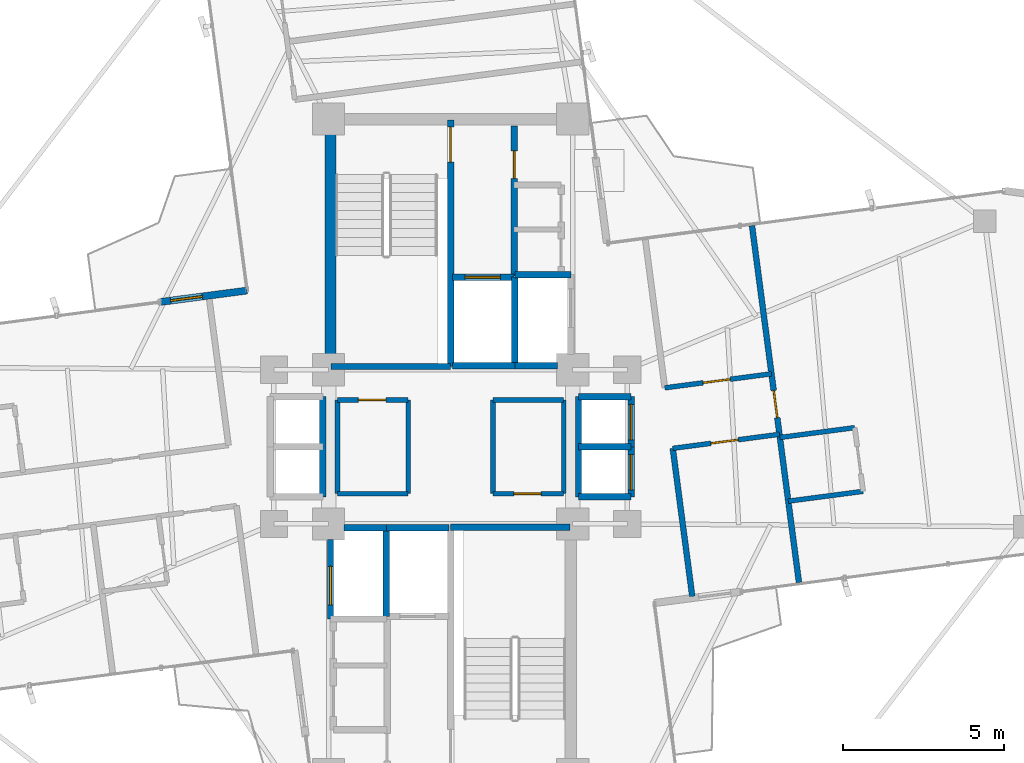
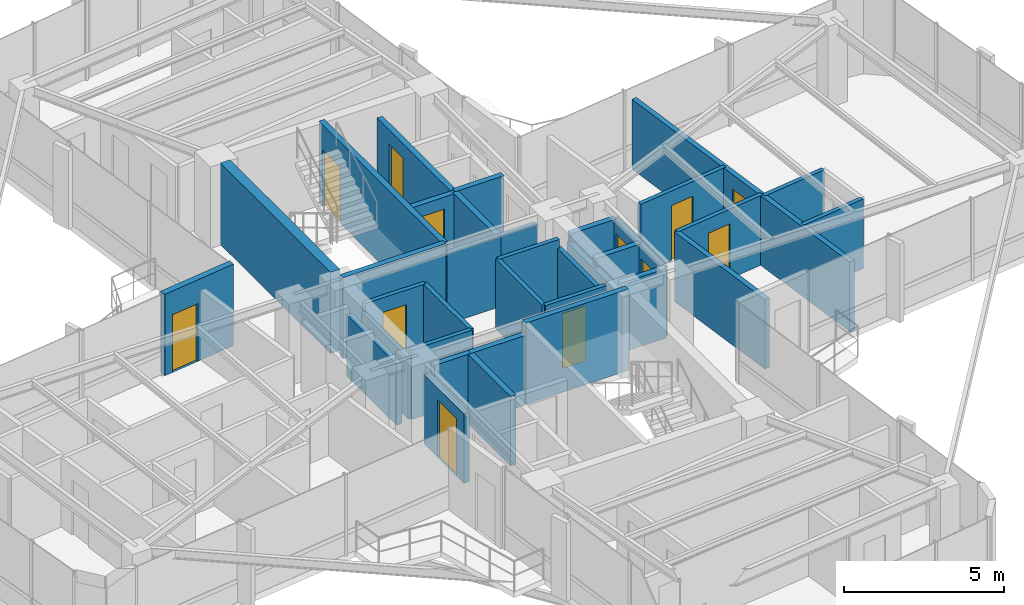
# One storey, part 19 of 21: 36 walls, 12 doors, 12 openings.
"""IFC4 building model written with IfcOpenShell, lengths in metres."""

import ifcopenshell
import ifcopenshell.guid

model = None  # the IFC model being written
_history = None  # IfcOwnerHistory: only IFC2X3 demands one
_inside = {}  # id of a spatial element -> (the spatial element, [elements in it])
_under = {}  # id of a project, library or spatial element -> (it, [spatial elements below it])
_declared = {}  # id of a project -> (the project, [libraries it declares])
_typed = {}  # id of a type object -> (the type object, [elements of that type])
_made_of = {}  # id of a material, layer set ... -> (it, [elements and type objects made of it])


def new_model(schema):
    """Start an empty IFC model of exactly this schema.

    Asked for "IFC4X3", IfcOpenShell would pick the latest addendum, in which some entities
    have other attributes; the version numbers below select the first issue.
    IFC2X3 requires an IfcOwnerHistory on every rooted entity: one is made here for all.
    """
    global model, _history
    if schema == "IFC4X3":
        model = ifcopenshell.file(schema_version=(4, 3, 0, 0))
    else:
        model = ifcopenshell.file(schema=schema)
    _inside.clear()
    _under.clear()
    _declared.clear()
    _typed.clear()
    _made_of.clear()
    _history = None
    if model.schema == "IFC2X3":
        org = make("IfcOrganization", Name="unknown")
        user = make(
            "IfcPersonAndOrganization",
            ThePerson=make("IfcPerson", FamilyName="unknown"),
            TheOrganization=org,
        )
        app = make(
            "IfcApplication",
            ApplicationDeveloper=org,
            Version="unknown",
            ApplicationFullName="unknown",
            ApplicationIdentifier="unknown",
        )
        _history = make(
            "IfcOwnerHistory",
            OwningUser=user,
            OwningApplication=app,
            ChangeAction="ADDED",
            CreationDate=0,
        )
    return model


def make(cls, **values):
    """One entity of the class cls with the attributes given. An attribute that is None is left unset."""
    return model.create_entity(
        cls, **{name: value for name, value in values.items() if value is not None}
    )


def rooted(cls, **values):
    """An entity with a GlobalId (a new one), such as an element, a storey or a relation."""
    return make(cls, GlobalId=ifcopenshell.guid.new(), OwnerHistory=_history, **values)


def si_unit(unit_type, name, prefix=None):
    """IfcSIUnit, for example si_unit("LENGTHUNIT", "METRE", prefix="MILLI")."""
    return make("IfcSIUnit", UnitType=unit_type, Prefix=prefix, Name=name)


def assignment(units):
    """IfcUnitAssignment: the units of a project."""
    return None if units is None else make("IfcUnitAssignment", Units=units)


def point(xyz):
    """IfcCartesianPoint."""
    return None if xyz is None else make("IfcCartesianPoint", Coordinates=xyz)


def direction(xyz):
    """IfcDirection."""
    return None if xyz is None else make("IfcDirection", DirectionRatios=xyz)


def frame(location, z_axis=None, x_axis=None):
    """IfcAxis2Placement3D, a coordinate frame: its origin and axes. An axis left out is left unset."""
    return make(
        "IfcAxis2Placement3D",
        Location=point(location),
        Axis=direction(z_axis),
        RefDirection=direction(x_axis),
    )


def frame_2d(location, x_axis=None):
    """IfcAxis2Placement2D, a coordinate frame in the plane: its origin and x axis."""
    return make(
        "IfcAxis2Placement2D", Location=point(location), RefDirection=direction(x_axis)
    )


def origin():
    """The frame at (0, 0, 0) with its axes left unset."""
    return frame((0.0, 0.0, 0.0))


def origin_2d():
    """The frame at (0, 0) in the plane with its x axis left unset."""
    return frame_2d((0.0, 0.0))


def place(relative_to, where):
    """IfcLocalPlacement: puts the frame where relative to a parent placement (None: the world)."""
    return make(
        "IfcLocalPlacement", PlacementRelTo=relative_to, RelativePlacement=where
    )


def context(
    kind, dimensions, precision=None, world=None, true_north=None, identifier=None
):
    """IfcGeometricRepresentationContext, for example the 3D "Model" context."""
    return make(
        "IfcGeometricRepresentationContext",
        ContextIdentifier=identifier,
        ContextType=kind,
        CoordinateSpaceDimension=dimensions,
        Precision=precision,
        WorldCoordinateSystem=world,
        TrueNorth=true_north,
    )


def subcontext(parent, identifier, kind, view, scale=None):
    """IfcGeometricRepresentationSubContext, for example "Body" below "Model"."""
    return make(
        "IfcGeometricRepresentationSubContext",
        ContextIdentifier=identifier,
        ContextType=kind,
        ParentContext=parent,
        TargetScale=scale,
        TargetView=view,
    )


def project(units=None, contexts=None):
    """IfcProject with its units and contexts."""
    return rooted(
        "IfcProject",
        Name="project",
        RepresentationContexts=contexts,
        UnitsInContext=assignment(units),
    )


def spatial(cls, under=None, at=None, **own):
    """A site, building, storey or space (cls), placed at a placement, below another one or the project."""
    s = rooted(cls, ObjectPlacement=at, **own)
    if under is not None:
        _under.setdefault(under.id(), (under, []))[1].append(s)
    return s


def profile(cls, at=None, kind="AREA", **sizes):
    """A parametric profile (cls). Its sizes go by their IFC names, for example OverallWidth=200.0."""
    return make(cls, ProfileType=kind, Position=at, **sizes)


def rectangle(**sizes):
    """IfcRectangleProfileDef."""
    return profile("IfcRectangleProfileDef", **sizes)


def extrude(swept, where, along, depth):
    """IfcExtrudedAreaSolid: the profile swept, set in the frame where, extruded along a direction by depth."""
    return make(
        "IfcExtrudedAreaSolid",
        SweptArea=swept,
        Position=where,
        ExtrudedDirection=direction(along),
        Depth=depth,
    )


def shape(context_of_items, identifier, shape_type, items):
    """IfcShapeRepresentation: the items that make up one representation, for example the "Body"."""
    return make(
        "IfcShapeRepresentation",
        ContextOfItems=context_of_items,
        RepresentationIdentifier=identifier,
        RepresentationType=shape_type,
        Items=items,
    )


def source(mapping_origin, context_of_items, identifier, shape_type, items):
    """IfcRepresentationMap: a shape defined once, which mapped items show again and again."""
    return make(
        "IfcRepresentationMap",
        MappingOrigin=mapping_origin,
        MappedRepresentation=shape(context_of_items, identifier, shape_type, items),
    )


def transform(
    local_origin,
    x_axis=None,
    y_axis=None,
    z_axis=None,
    scale=None,
    scale2=None,
    scale3=None,
    uniform=True,
):
    """IfcCartesianTransformationOperator3D, or its non-uniform kind. x_axis, y_axis, z_axis: its Axis1, 2, 3."""
    if uniform:
        return make(
            "IfcCartesianTransformationOperator3D",
            Axis1=direction(x_axis),
            Axis2=direction(y_axis),
            LocalOrigin=point(local_origin),
            Scale=scale,
            Axis3=direction(z_axis),
        )
    return make(
        "IfcCartesianTransformationOperator3DnonUniform",
        Axis1=direction(x_axis),
        Axis2=direction(y_axis),
        LocalOrigin=point(local_origin),
        Scale=scale,
        Axis3=direction(z_axis),
        Scale2=scale2,
        Scale3=scale3,
    )


def mapped(mapping_source, mapping_target):
    """IfcMappedItem: shows the shape of a source again, moved by a transform."""
    return make(
        "IfcMappedItem", MappingSource=mapping_source, MappingTarget=mapping_target
    )


def material(Name=None, Category=None):
    """IfcMaterial."""
    return make("IfcMaterial", Name=Name, Category=Category)


def layer(
    of_material, thickness, ventilated=None, Name=None, Category=None, Priority=None
):
    """IfcMaterialLayer: one layer of a wall or slab, of a material (None: an air gap)."""
    return make(
        "IfcMaterialLayer",
        Material=of_material,
        LayerThickness=thickness,
        IsVentilated=ventilated,
        Name=Name,
        Category=Category,
        Priority=Priority,
    )


def layer_set(layers, Name=None):
    """IfcMaterialLayerSet."""
    return make("IfcMaterialLayerSet", MaterialLayers=layers, LayerSetName=Name)


def made_of(thing, what):
    """Note that an element or type object is made of a material, layer set ...; save() writes the relation."""
    if what is not None:
        _made_of.setdefault(what.id(), (what, []))[1].append(thing)
    return thing


def type_object(cls, material=None, **own):
    """A type object (cls), such as IfcWallType, which elements share."""
    return made_of(rooted(cls, **own), material)


def element(
    cls,
    number,
    at=None,
    inside=None,
    cuts=None,
    type_object=None,
    material=None,
    context=None,
    identifier="Body",
    shape_type=None,
    held_by="IfcProductDefinitionShape",
    body=None,
    shapes=None,
    **own,
):
    """One element of the class cls, such as IfcWall. Its Tag is "e" and its number.

    at: its placement. inside: the storey or other place that contains it. cuts: it is an
    opening in that element (IfcRelVoidsElement). A single representation is given by context,
    identifier, shape_type and body (its items); several are given by shapes. held_by: the class
    of the entity that holds the representations. save() writes the other relations.
    """
    e = rooted(cls, Tag="e%d" % number, ObjectPlacement=at, **own)
    if body is not None:
        shapes = [shape(context, identifier, shape_type, body)]
    if shapes is not None:
        e.Representation = make(held_by, Representations=shapes)
    if inside is not None:
        _inside.setdefault(inside.id(), (inside, []))[1].append(e)
    if cuts is not None:
        rooted(
            "IfcRelVoidsElement", RelatingBuildingElement=cuts, RelatedOpeningElement=e
        )
    if type_object is not None:
        _typed.setdefault(type_object.id(), (type_object, []))[1].append(e)
    return made_of(e, material)


def fill(opening, filler):
    """IfcRelFillsElement: the door or window that sits in an opening."""
    return rooted(
        "IfcRelFillsElement",
        RelatingOpeningElement=opening,
        RelatedBuildingElement=filler,
    )


def aggregate(whole, parts):
    """IfcRelAggregates: a whole, such as a stair, and the parts it consists of."""
    return rooted("IfcRelAggregates", RelatingObject=whole, RelatedObjects=parts)


def save(model, path):
    """Write the relations noted so far, then the file.

    IfcRelAggregates (storeys below a building ...), IfcRelContainedInSpatialStructure (elements
    in a storey), IfcRelDefinesByType, IfcRelAssociatesMaterial and IfcRelDeclares: one each for
    every whole, place, type object, material and project.
    """
    for whole, parts in _under.values():
        aggregate(whole, parts)
    for where, things in _inside.values():
        rooted(
            "IfcRelContainedInSpatialStructure",
            RelatedElements=things,
            RelatingStructure=where,
        )
    for kind, things in _typed.values():
        rooted("IfcRelDefinesByType", RelatedObjects=things, RelatingType=kind)
    for what, things in _made_of.values():
        rooted("IfcRelAssociatesMaterial", RelatedObjects=things, RelatingMaterial=what)
    for by, libraries in _declared.values():
        rooted("IfcRelDeclares", RelatingContext=by, RelatedDefinitions=libraries)
    model.write(path)


model = new_model("IFC4")

# Units and contexts
model_context = context("Model", 3, precision=1e-05, world=origin(), true_north=direction((0.0, 1.0)))
body_context = subcontext(model_context, "Body", "Model", "MODEL_VIEW")
ifc_project = project(units=[si_unit("LENGTHUNIT", "METRE"), si_unit("AREAUNIT", "SQUARE_METRE"), si_unit("VOLUMEUNIT", "CUBIC_METRE"), si_unit("PLANEANGLEUNIT", "RADIAN"), si_unit("MASSUNIT", "GRAM", prefix="KILO")], contexts=[model_context])

# Site, building, storey
site_placement = place(None, origin())
site = spatial("IfcSite", under=ifc_project, at=site_placement, CompositionType="ELEMENT")
building_placement = place(site_placement, origin())
building = spatial("IfcBuilding", under=site, at=building_placement, Name="Sahyath Konkavel Grand Hotel", CompositionType="ELEMENT")
storey_placement = place(building_placement, frame((0.0, 0.0, 209.85009765625)))
storey = spatial("IfcBuildingStorey", under=building, at=storey_placement, Name="L58", CompositionType="ELEMENT", Elevation=209.85009765625)

# Wall
ifc_material_1 = material(Name="Concrete C40/50", Category="concrete")
ifc_layer_1 = layer(ifc_material_1, 0.35009765625)
ifc_layer_set_1 = layer_set([ifc_layer_1], Name="Concrete C40/50")
wall_type_1 = type_object("IfcWallType", Name="CWALL-350", PredefinedType="SHEAR", material=ifc_layer_set_1)
wall_1_placement = place(storey_placement, frame((-3.739990234375, 2.85009765625, 0.0), z_axis=(0.0, 0.0, 1.0), x_axis=(0.0, 1.0, 0.0)))
element("IfcWall", 1, at=wall_1_placement, inside=storey, type_object=wall_type_1, Name="L58 North Core Shear Wall W", PredefinedType="SHEAR", context=body_context, shape_type="SweptSolid", body=[
    extrude(rectangle(XDim=6.89990234375, YDim=0.35009765625, at=frame_2d((3.449951171875, 0.0))), origin(), (0.0, 0.0, 1.0), 3.10986328125),
])

# Wall, opening, door
ifc_material_2 = material(Name="Warm Buff Sandstone Insulated Concrete C40/50", Category="masonry")
ifc_layer_2 = layer(ifc_material_2, 0.219970703125)
ifc_layer_set_2 = layer_set([ifc_layer_2], Name="Warm Buff Sandstone Insulated Concrete C40/50")
wall_type_2 = type_object("IfcWallType", Name="WLL-BALC-THRESH", PredefinedType="STANDARD", material=ifc_layer_set_2)
wall_2_placement = place(storey_placement, frame((-6.339111328125, 4.8642578125, 0.0), z_axis=(0.0, 0.0, 1.0), x_axis=(-0.991439824936, -0.130564442062, 0.0)))
wall_2 = element("IfcWall", 2, at=wall_2_placement, inside=storey, type_object=wall_type_2, Name="L58 Winter-Garden Threshold Wall 16", PredefinedType="STANDARD", context=body_context, shape_type="SweptSolid", body=[
    extrude(rectangle(XDim=2.7001953125, YDim=0.219970703125, at=frame_2d((1.35009765625, 0.0))), origin(), (0.0, 0.0, 1.0), 3.10986328125),
])
opening_1_placement = place(wall_2_placement, frame((1.39990234375, 0.0, 0.0)))
opening_1 = element("IfcOpeningElement", 3, at=opening_1_placement, cuts=wall_2, Name="Opening D-TR1", PredefinedType="OPENING", context=body_context, shape_type="SweptSolid", body=[
    extrude(rectangle(XDim=1.0, YDim=2.199951171875, at=frame_2d((0.5, 1.10009765625))), frame((0.0, 0.1201171875, 0.0), z_axis=(0.0, -1.0, 0.0), x_axis=(1.0, 0.0, 0.0)), (0.0, 0.0, 1.0), 0.239990234375),
])
ifc_material_3 = material(Name="Anodised Bronze Aluminium & Low-E Glazing", Category="aluminium")
door_type_1 = type_object("IfcDoorType", Name="DR-TERRACE-1000", OperationType="NOTDEFINED", PredefinedType="DOOR", material=ifc_material_3)
shared_shape_1 = source(origin(), body_context, "Body", "SweptSolid", [
    extrude(rectangle(XDim=1.0, YDim=0.050048828125, at=origin_2d()), origin(), (0.0, 0.0, 1.0), 2.199951171875),
])
door_1_placement = place(opening_1_placement, frame((0.5, 0.0, 0.0)))
door_1 = element("IfcDoor", 4, at=door_1_placement, inside=storey, type_object=door_type_1, Name="L58 Winter-Garden Terrace Door 16", OperationType="SINGLE_SWING_LEFT", OverallHeight=2.199951171875, OverallWidth=1.0, PredefinedType="DOOR", context=body_context, shape_type="MappedRepresentation", body=[
    mapped(shared_shape_1, transform((0.0, 0.0, 0.0), scale=1.0)),
])
fill(opening_1, door_1)

ifc_layer_3 = layer(ifc_material_1, 0.199951171875)
ifc_layer_set_3 = layer_set([ifc_layer_3], Name="Concrete C40/50")
wall_type_3 = type_object("IfcWallType", Name="WLL-CORE-200", PredefinedType="SOLIDWALL", material=ifc_layer_set_3)
wall_3_placement = place(storey_placement, frame((0.0, 2.5, 0.0), z_axis=(0.0, 0.0, 1.0), x_axis=(0.0, 1.0, 0.0)))
wall_3 = element("IfcWall", 5, at=wall_3_placement, inside=storey, type_object=wall_type_3, Name="L58 Stair ST-1 Shaft Wall E", PredefinedType="SOLIDWALL", context=body_context, shape_type="SweptSolid", body=[
    extrude(rectangle(XDim=7.679931640625, YDim=0.199951171875, at=frame_2d((3.83984375, 0.0))), origin(), (0.0, 0.0, 1.0), 3.10986328125),
])
opening_2_placement = place(wall_3_placement, frame((6.360107421875, 0.0, 0.0)))
opening_2 = element("IfcOpeningElement", 6, at=opening_2_placement, cuts=wall_3, Name="Opening D-F12B", PredefinedType="OPENING", context=body_context, shape_type="SweptSolid", body=[
    extrude(rectangle(XDim=1.10009765625, YDim=2.14990234375, at=frame_2d((0.550048828125, 1.074951171875))), frame((0.0, 0.10986328125, 0.0), z_axis=(0.0, -1.0, 0.0), x_axis=(1.0, 0.0, 0.0)), (0.0, 0.0, 1.0), 0.219970703125),
])
ifc_material_4 = material(Name="Steel E350 Smokeproof Fire Door", Category="steel")
door_type_2 = type_object("IfcDoorType", Name="DR-FD120-1100", OperationType="NOTDEFINED", PredefinedType="DOOR", material=ifc_material_4)
shared_shape_2 = source(origin(), body_context, "Body", "SweptSolid", [
    extrude(rectangle(XDim=1.10009765625, YDim=0.050048828125, at=origin_2d()), origin(), (0.0, 0.0, 1.0), 2.14990234375),
])
door_2_placement = place(opening_2_placement, frame((0.550048828125, 0.0, 0.0)))
door_2 = element("IfcDoor", 7, at=door_2_placement, inside=storey, type_object=door_type_2, Name="L58 Stair ST-1 Fire Door", OperationType="SINGLE_SWING_RIGHT", OverallHeight=2.14990234375, OverallWidth=1.10009765625, PredefinedType="DOOR", context=body_context, shape_type="MappedRepresentation", body=[
    mapped(shared_shape_2, transform((0.0, 0.0, 0.0), scale=1.0)),
])
fill(opening_2, door_2)

# Walls
for number, where, z_axis, x_axis, name in (
    (8, (-3.719970703125, 2.5, 0.0), (0.0, 0.0, 1.0), (1.0, 0.0, 0.0), "L58 Stair ST-1 Shaft Wall S"),
    (9, (0.0, -2.5, 0.0), (0.0, 0.0, 1.0), (1.0, 0.0, 0.0), "L58 Stair ST-2 Shaft Wall N"),
):
    element("IfcWall", number, at=place(storey_placement, frame(where, z_axis=z_axis, x_axis=x_axis)), inside=storey, type_object=wall_type_3, Name=name, PredefinedType="SOLIDWALL", context=body_context, shape_type="SweptSolid", body=[
        extrude(rectangle(XDim=3.719970703125, YDim=0.199951171875, at=frame_2d((1.85986328125, 0.0))), origin(), (0.0, 0.0, 1.0), 3.10986328125),
    ])

# Wall, opening, door
wall_4_placement = place(storey_placement, frame((1.97998046875, 5.320068359375, 0.0), z_axis=(0.0, 0.0, 1.0), x_axis=(0.0, 1.0, 0.0)))
wall_4 = element("IfcWall", 10, at=wall_4_placement, inside=storey, type_object=wall_type_3, Name="L58 North Firefighting Lobby Wall E", PredefinedType="SOLIDWALL", context=body_context, shape_type="SweptSolid", body=[
    extrude(rectangle(XDim=4.659912109375, YDim=0.199951171875, at=frame_2d((2.330078125, 0.0))), origin(), (0.0, 0.0, 1.0), 2.659912109375),
])
opening_3_placement = place(wall_4_placement, frame((3.0400390625, 0.0, 0.0)))
opening_3 = element("IfcOpeningElement", 11, at=opening_3_placement, cuts=wall_4, Name="Opening D-F12D", PredefinedType="OPENING", context=body_context, shape_type="SweptSolid", body=[
    extrude(rectangle(XDim=0.85009765625, YDim=2.10009765625, at=frame_2d((0.425048828125, 1.050048828125))), frame((0.0, 0.10986328125, 0.0), z_axis=(0.0, -1.0, 0.0), x_axis=(1.0, 0.0, 0.0)), (0.0, 0.0, 1.0), 0.219970703125),
])
ifc_material_5 = material(Name="Steel E350 Core Fire Door", Category="steel")
door_type_3 = type_object("IfcDoorType", Name="DR-FD120-850", OperationType="NOTDEFINED", PredefinedType="DOOR", material=ifc_material_5)
shared_shape_3 = source(origin(), body_context, "Body", "SweptSolid", [
    extrude(rectangle(XDim=0.85009765625, YDim=0.050048828125, at=origin_2d()), origin(), (0.0, 0.0, 1.0), 2.10009765625),
])
door_3_placement = place(opening_3_placement, frame((0.425048828125, 0.0, 0.0)))
door_3 = element("IfcDoor", 12, at=door_3_placement, inside=storey, type_object=door_type_3, Name="L58 North Firefighting Lobby Door", OperationType="SINGLE_SWING_RIGHT", OverallHeight=2.10009765625, OverallWidth=0.85009765625, PredefinedType="DOOR", context=body_context, shape_type="MappedRepresentation", body=[
    mapped(shared_shape_3, transform((0.0, 0.0, 0.0), scale=1.0)),
])
fill(opening_3, door_3)

# Walls
wall_5_placement = place(storey_placement, frame((2.0, 2.5, 0.0), z_axis=(0.0, 0.0, 1.0), x_axis=(0.0, 1.0, 0.0)))
element("IfcWall", 13, at=wall_5_placement, inside=storey, type_object=wall_type_3, Name="L58 Partition SH-FFL1-E", PredefinedType="SOLIDWALL", context=body_context, shape_type="SweptSolid", body=[
    extrude(rectangle(XDim=2.780029296875, YDim=0.199951171875, at=frame_2d((1.39013671875, 0.0))), origin(), (0.0, 0.0, 1.0), 2.659912109375),
])
wall_6_placement = place(storey_placement, frame((0.050048828125, 2.52001953125, 0.0), z_axis=(0.0, 0.0, 1.0), x_axis=(1.0, 0.0, 0.0)))
element("IfcWall", 14, at=wall_6_placement, inside=storey, type_object=wall_type_3, Name="L58 Partition SH-FFL1-S", PredefinedType="SOLIDWALL", context=body_context, shape_type="SweptSolid", body=[
    extrude(rectangle(XDim=1.949951171875, YDim=0.199951171875, at=frame_2d((0.97509765625, 0.0))), origin(), (0.0, 0.0, 1.0), 2.659912109375),
])

# Wall, opening, door
wall_7_placement = place(storey_placement, frame((0.050048828125, 5.280029296875, 0.0), z_axis=(0.0, 0.0, 1.0), x_axis=(1.0, 0.0, 0.0)))
wall_7 = element("IfcWall", 15, at=wall_7_placement, inside=storey, type_object=wall_type_3, Name="L58 Partition SH-FFL1-N", PredefinedType="SOLIDWALL", context=body_context, shape_type="SweptSolid", body=[
    extrude(rectangle(XDim=1.929931640625, YDim=0.199951171875, at=frame_2d((0.96484375, 0.0))), origin(), (0.0, 0.0, 1.0), 2.659912109375),
])
opening_4_placement = place(wall_7_placement, frame((0.39990234375, 0.0, 0.0)))
opening_4 = element("IfcOpeningElement", 16, at=opening_4_placement, cuts=wall_7, Name="Opening LD-11", PredefinedType="OPENING", context=body_context, shape_type="SweptSolid", body=[
    extrude(rectangle(XDim=1.10009765625, YDim=2.199951171875, at=frame_2d((0.550048828125, 1.10009765625))), frame((0.0, 0.10986328125, 0.0), z_axis=(0.0, -1.0, 0.0), x_axis=(1.0, 0.0, 0.0)), (0.0, 0.0, 1.0), 0.219970703125),
])
ifc_material_6 = material(Name="Bronze Lift Landing Door 1100")
door_type_4 = type_object("IfcDoorType", Name="DR-LIFT-1100", OperationType="DOUBLE_DOOR_SLIDING", PredefinedType="DOOR", material=ifc_material_6)
shared_shape_4 = source(origin(), body_context, "Body", "SweptSolid", [
    extrude(rectangle(XDim=1.10009765625, YDim=0.050048828125, at=origin_2d()), origin(), (0.0, 0.0, 1.0), 2.199951171875),
])
door_4_placement = place(opening_4_placement, frame((0.550048828125, 0.0, 0.0)))
door_4 = element("IfcDoor", 17, at=door_4_placement, inside=storey, type_object=door_type_4, Name="L58 Lift FFL-1 Landing Door", OperationType="DOUBLE_DOOR_SLIDING", OverallHeight=2.199951171875, OverallWidth=1.10009765625, PredefinedType="DOOR", context=body_context, shape_type="MappedRepresentation", body=[
    mapped(shared_shape_4, transform((0.0, 0.0, 0.0), scale=1.0)),
])
fill(opening_4, door_4)

# Walls
wall_8_placement = place(storey_placement, frame((-2.0, -5.280029296875, 0.0), z_axis=(0.0, 0.0, 1.0), x_axis=(0.0, 1.0, 0.0)))
element("IfcWall", 18, at=wall_8_placement, inside=storey, type_object=wall_type_3, Name="L58 Partition SH-FFL2-W", PredefinedType="SOLIDWALL", context=body_context, shape_type="SweptSolid", body=[
    extrude(rectangle(XDim=2.780029296875, YDim=0.199951171875, at=frame_2d((1.39013671875, 0.0))), origin(), (0.0, 0.0, 1.0), 2.659912109375),
])
wall_9_placement = place(storey_placement, frame((-2.0, -2.52001953125, 0.0), z_axis=(0.0, 0.0, 1.0), x_axis=(1.0, 0.0, 0.0)))
element("IfcWall", 19, at=wall_9_placement, inside=storey, type_object=wall_type_3, Name="L58 Partition SH-FFL2-N", PredefinedType="SOLIDWALL", context=body_context, shape_type="SweptSolid", body=[
    extrude(rectangle(XDim=1.949951171875, YDim=0.199951171875, at=frame_2d((0.97509765625, 0.0))), origin(), (0.0, 0.0, 1.0), 2.659912109375),
])
wall_10_placement = place(storey_placement, frame((2.0, 2.52001953125, 0.0), z_axis=(0.0, 0.0, 1.0), x_axis=(1.0, 0.0, 0.0)))
element("IfcWall", 20, at=wall_10_placement, inside=storey, type_object=wall_type_3, Name="L58 Partition SH-SVL1-S", PredefinedType="SOLIDWALL", context=body_context, shape_type="SweptSolid", body=[
    extrude(rectangle(XDim=1.320068359375, YDim=0.199951171875, at=frame_2d((0.66015625, 0.0))), origin(), (0.0, 0.0, 1.0), 2.659912109375),
])
wall_11_placement = place(storey_placement, frame((2.0, 5.360107421875, 0.0), z_axis=(0.0, 0.0, 1.0), x_axis=(1.0, 0.0, 0.0)))
element("IfcWall", 21, at=wall_11_placement, inside=storey, type_object=wall_type_3, Name="L58 Partition SH-SVL1-N", PredefinedType="SOLIDWALL", context=body_context, shape_type="SweptSolid", body=[
    extrude(rectangle(XDim=1.739990234375, YDim=0.199951171875, at=frame_2d((0.8701171875, 0.0))), origin(), (0.0, 0.0, 1.0), 2.659912109375),
])
wall_12_placement = place(storey_placement, frame((-3.320068359375, -2.52001953125, 0.0), z_axis=(0.0, 0.0, 1.0), x_axis=(1.0, 0.0, 0.0)))
element("IfcWall", 22, at=wall_12_placement, inside=storey, type_object=wall_type_3, Name="L58 Partition SH-SVL2-N", PredefinedType="SOLIDWALL", context=body_context, shape_type="SweptSolid", body=[
    extrude(rectangle(XDim=1.320068359375, YDim=0.199951171875, at=frame_2d((0.66015625, 0.0))), origin(), (0.0, 0.0, 1.0), 2.659912109375),
])

# Wall, opening, door
wall_13_placement = place(storey_placement, frame((-3.739990234375, -5.360107421875, 0.0), z_axis=(0.0, 0.0, 1.0), x_axis=(0.0, 1.0, 0.0)))
wall_13 = element("IfcWall", 23, at=wall_13_placement, inside=storey, type_object=wall_type_3, Name="L58 Partition SH-SVL2-W", PredefinedType="SOLIDWALL", context=body_context, shape_type="SweptSolid", body=[
    extrude(rectangle(XDim=2.480224609375, YDim=0.199951171875, at=frame_2d((1.240234375, 0.0))), origin(), (0.0, 0.0, 1.0), 2.659912109375),
])
opening_5_placement = place(wall_13_placement, frame((0.43994140625, 0.0, 0.0)))
opening_5 = element("IfcOpeningElement", 24, at=opening_5_placement, cuts=wall_13, Name="Opening LD-12", PredefinedType="OPENING", context=body_context, shape_type="SweptSolid", body=[
    extrude(rectangle(XDim=1.199951171875, YDim=2.199951171875, at=frame_2d((0.60009765625, 1.10009765625))), frame((0.0, 0.10986328125, 0.0), z_axis=(0.0, -1.0, 0.0), x_axis=(1.0, 0.0, 0.0)), (0.0, 0.0, 1.0), 0.219970703125),
])
ifc_material_7 = material(Name="Stainless Steel Lift Landing Door 1200", Category="steel")
door_type_5 = type_object("IfcDoorType", Name="DR-LIFT-1200", OperationType="DOUBLE_DOOR_SLIDING", PredefinedType="DOOR", material=ifc_material_7)
shared_shape_5 = source(origin(), body_context, "Body", "SweptSolid", [
    extrude(rectangle(XDim=1.199951171875, YDim=0.050048828125, at=origin_2d()), origin(), (0.0, 0.0, 1.0), 2.199951171875),
])
door_5_placement = place(opening_5_placement, frame((0.60009765625, 0.0, 0.0)))
door_5 = element("IfcDoor", 25, at=door_5_placement, inside=storey, type_object=door_type_5, Name="L58 Service Lift SVL-2 Landing Door", OperationType="DOUBLE_DOOR_SLIDING", OverallHeight=2.199951171875, OverallWidth=1.199951171875, PredefinedType="DOOR", context=body_context, shape_type="MappedRepresentation", body=[
    mapped(shared_shape_5, transform((0.0, 0.0, 0.0), scale=1.0)),
])
fill(opening_5, door_5)

# Walls
wall_14_placement = place(storey_placement, frame((3.97998046875, -1.56005859375, 0.0), z_axis=(0.0, 0.0, 1.0), x_axis=(0.0, 1.0, 0.0)))
element("IfcWall", 26, at=wall_14_placement, inside=storey, type_object=wall_type_3, Name="L58 Partition SH-PL56-W", PredefinedType="SOLIDWALL", context=body_context, shape_type="SweptSolid", body=[
    extrude(rectangle(XDim=3.1201171875, YDim=0.199951171875, at=frame_2d((1.56005859375, 0.0))), origin(), (0.0, 0.0, 1.0), 2.329833984375),
])
for number, where, z_axis, x_axis, name in (
    (27, (3.97998046875, 1.56005859375, 0.0), (0.0, 0.0, 1.0), (1.0, 0.0, 0.0), "L58 Partition SH-PL56-N"),
    (28, (3.97998046875, -1.56005859375, 0.0), (0.0, 0.0, 1.0), (1.0, 0.0, 0.0), "L58 Partition SH-PL56-S"),
    (29, (3.97998046875, 0.0, 0.0), (0.0, 0.0, 1.0), (1.0, 0.0, 0.0), "L58 Partition SH-PL56-M"),
):
    element("IfcWall", number, at=place(storey_placement, frame(where, z_axis=z_axis, x_axis=x_axis)), inside=storey, type_object=wall_type_3, Name=name, PredefinedType="SOLIDWALL", context=body_context, shape_type="SweptSolid", body=[
        extrude(rectangle(XDim=1.64013671875, YDim=0.199951171875, at=frame_2d((0.820068359375, 0.0))), origin(), (0.0, 0.0, 1.0), 2.659912109375),
    ])

# Wall, opening, door
wall_15_placement = place(storey_placement, frame((5.6201171875, 0.0, 0.0), z_axis=(0.0, 0.0, 1.0), x_axis=(0.0, 1.0, 0.0)))
wall_15 = element("IfcWall", 30, at=wall_15_placement, inside=storey, type_object=wall_type_3, Name="L58 Partition SH-PL5-E", PredefinedType="SOLIDWALL", context=body_context, shape_type="SweptSolid", body=[
    extrude(rectangle(XDim=1.56005859375, YDim=0.199951171875, at=frame_2d((0.780029296875, 0.0))), origin(), (0.0, 0.0, 1.0), 2.659912109375),
])
opening_6_placement = place(wall_15_placement, frame((0.219970703125, 0.0, 0.0)))
opening_6 = element("IfcOpeningElement", 31, at=opening_6_placement, cuts=wall_15, Name="Opening LD-11", PredefinedType="OPENING", context=body_context, shape_type="SweptSolid", body=[
    extrude(rectangle(XDim=1.10009765625, YDim=2.199951171875, at=frame_2d((0.550048828125, 1.10009765625))), frame((0.0, 0.10986328125, 0.0), z_axis=(0.0, -1.0, 0.0), x_axis=(1.0, 0.0, 0.0)), (0.0, 0.0, 1.0), 0.219970703125),
])
door_6_placement = place(opening_6_placement, frame((0.550048828125, 0.0, 0.0)))
door_6 = element("IfcDoor", 32, at=door_6_placement, inside=storey, type_object=door_type_4, Name="L58 High-Rise Lift PL-5 Landing Door", OperationType="DOUBLE_DOOR_SLIDING", OverallHeight=2.199951171875, OverallWidth=1.10009765625, PredefinedType="DOOR", context=body_context, shape_type="MappedRepresentation", body=[
    mapped(shared_shape_4, transform((0.0, 0.0, 0.0), scale=1.0)),
])
fill(opening_6, door_6)

wall_16_placement = place(storey_placement, frame((5.6201171875, -1.56005859375, 0.0), z_axis=(0.0, 0.0, 1.0), x_axis=(0.0, 1.0, 0.0)))
wall_16 = element("IfcWall", 33, at=wall_16_placement, inside=storey, type_object=wall_type_3, Name="L58 Partition SH-PL6-E", PredefinedType="SOLIDWALL", context=body_context, shape_type="SweptSolid", body=[
    extrude(rectangle(XDim=1.56005859375, YDim=0.199951171875, at=frame_2d((0.780029296875, 0.0))), origin(), (0.0, 0.0, 1.0), 2.659912109375),
])
opening_7_placement = place(wall_16_placement, frame((0.219970703125, 0.0, 0.0)))
opening_7 = element("IfcOpeningElement", 34, at=opening_7_placement, cuts=wall_16, Name="Opening LD-11", PredefinedType="OPENING", context=body_context, shape_type="SweptSolid", body=[
    extrude(rectangle(XDim=1.10009765625, YDim=2.199951171875, at=frame_2d((0.550048828125, 1.10009765625))), frame((0.0, 0.10986328125, 0.0), z_axis=(0.0, -1.0, 0.0), x_axis=(1.0, 0.0, 0.0)), (0.0, 0.0, 1.0), 0.219970703125),
])
door_7_placement = place(opening_7_placement, frame((0.550048828125, 0.0, 0.0)))
door_7 = element("IfcDoor", 35, at=door_7_placement, inside=storey, type_object=door_type_4, Name="L58 High-Rise Lift PL-6 Landing Door", OperationType="DOUBLE_DOOR_SLIDING", OverallHeight=2.199951171875, OverallWidth=1.10009765625, PredefinedType="DOOR", context=body_context, shape_type="MappedRepresentation", body=[
    mapped(shared_shape_4, transform((0.0, 0.0, 0.0), scale=1.0)),
])
fill(opening_7, door_7)

# Walls
wall_17_placement = place(storey_placement, frame((-3.97998046875, -1.56005859375, 0.0), z_axis=(0.0, 0.0, 1.0), x_axis=(0.0, 1.0, 0.0)))
element("IfcWall", 36, at=wall_17_placement, inside=storey, type_object=wall_type_3, Name="L58 Partition SH-SL12-E", PredefinedType="SOLIDWALL", context=body_context, shape_type="SweptSolid", body=[
    extrude(rectangle(XDim=3.1201171875, YDim=0.199951171875, at=frame_2d((1.56005859375, 0.0))), origin(), (0.0, 0.0, 1.0), 2.329833984375),
])
ifc_material_8 = material(Name="Twin-Stud Acoustic Gypsum Plasterboard Partition")
ifc_layer_4 = layer(ifc_material_8, 0.179931640625)
ifc_layer_set_4 = layer_set([ifc_layer_4], Name="Twin-Stud Acoustic Gypsum Plasterboard Partition")
wall_type_4 = type_object("IfcWallType", Name="WLL-DEMISE-180", PredefinedType="PARTITIONING", material=ifc_layer_set_4)
wall_18_placement = place(storey_placement, frame((7.522216796875, -4.657958984375, 0.0), z_axis=(0.0, 0.0, 1.0), x_axis=(-0.130526496103, 0.991444821367, 0.0)))
element("IfcWall", 37, at=wall_18_placement, inside=storey, type_object=wall_type_4, Name="L58 Partition E-INR", PredefinedType="PARTITIONING", context=body_context, shape_type="SweptSolid", body=[
    extrude(rectangle(XDim=4.64990234375, YDim=0.179931640625, at=frame_2d((2.324951171875, 0.0))), origin(), (0.0, 0.0, 1.0), 2.659912109375),
])

# Wall, opening, door
wall_19_placement = place(storey_placement, frame((10.84375, -4.220703125, 0.0), z_axis=(0.0, 0.0, 1.0), x_axis=(-0.130527251821, 0.991444721874, 0.0)))
wall_19 = element("IfcWall", 38, at=wall_19_placement, inside=storey, type_object=wall_type_4, Name="L58 Partition E-ETIP-END", PredefinedType="PARTITIONING", context=body_context, shape_type="SweptSolid", body=[
    extrude(rectangle(XDim=11.199951171875, YDim=0.179931640625, at=frame_2d((5.60009765625, 0.0))), origin(), (0.0, 0.0, 1.0), 2.659912109375),
])
opening_8_placement = place(wall_19_placement, frame((5.175048828125, 0.0, 0.0)))
opening_8 = element("IfcOpeningElement", 39, at=opening_8_placement, cuts=wall_19, Name="Opening D-F06D", PredefinedType="OPENING", context=body_context, shape_type="SweptSolid", body=[
    extrude(rectangle(XDim=0.85009765625, YDim=2.10009765625, at=frame_2d((0.425048828125, 1.050048828125))), frame((0.0, 0.10009765625, 0.0), z_axis=(0.0, -1.0, 0.0), x_axis=(1.0, 0.0, 0.0)), (0.0, 0.0, 1.0), 0.199951171875),
])
ifc_material_9 = material(Name="Fire-Rated Shaft Access Door")
door_type_6 = type_object("IfcDoorType", Name="DR-FD60-850", OperationType="NOTDEFINED", PredefinedType="DOOR", material=ifc_material_9)
door_8_placement = place(opening_8_placement, frame((0.425048828125, 0.0, 0.0)))
door_8 = element("IfcDoor", 40, at=door_8_placement, inside=storey, type_object=door_type_6, Name="L58 Door E-ETIP-ED", OperationType="SINGLE_SWING_LEFT", OverallHeight=2.10009765625, OverallWidth=0.85009765625, PredefinedType="DOOR", context=body_context, shape_type="MappedRepresentation", body=[
    mapped(shared_shape_3, transform((0.0, 0.0, 0.0), scale=1.0)),
])
fill(opening_8, door_8)

# Walls
ifc_material_10 = material(Name="Fire-Rated Gypsum Plasterboard Partition")
ifc_layer_5 = layer(ifc_material_10, 0.14990234375)
ifc_layer_set_5 = layer_set([ifc_layer_5], Name="Fire-Rated Gypsum Plasterboard Partition")
wall_type_5 = type_object("IfcWallType", Name="WLL-PART-150", PredefinedType="PARTITIONING", material=ifc_layer_set_5)
wall_20_placement = place(storey_placement, frame((-1.320068359375, -1.4599609375, 0.0), z_axis=(0.0, 0.0, 1.0), x_axis=(0.0, 1.0, 0.0)))
element("IfcWall", 41, at=wall_20_placement, inside=storey, type_object=wall_type_5, Name="L58 Partition CC-1WI", PredefinedType="PARTITIONING", context=body_context, shape_type="SweptSolid", body=[
    extrude(rectangle(XDim=2.919921875, YDim=0.14990234375, at=frame_2d((1.4599609375, 0.0))), origin(), (0.0, 0.0, 1.0), 2.659912109375),
])
wall_21_placement = place(storey_placement, frame((-3.52001953125, -1.4599609375, 0.0), z_axis=(0.0, 0.0, 1.0), x_axis=(0.0, 1.0, 0.0)))
element("IfcWall", 42, at=wall_21_placement, inside=storey, type_object=wall_type_5, Name="L58 Partition CC-1WO", PredefinedType="PARTITIONING", context=body_context, shape_type="SweptSolid", body=[
    extrude(rectangle(XDim=2.919921875, YDim=0.14990234375, at=frame_2d((1.4599609375, 0.0))), origin(), (0.0, 0.0, 1.0), 2.329833984375),
])

# Wall, opening, door
wall_22_placement = place(storey_placement, frame((-3.52001953125, 1.4599609375, 0.0), z_axis=(0.0, 0.0, 1.0), x_axis=(1.0, 0.0, 0.0)))
wall_22 = element("IfcWall", 43, at=wall_22_placement, inside=storey, type_object=wall_type_5, Name="L58 Partition CC-1WN", PredefinedType="PARTITIONING", context=body_context, shape_type="SweptSolid", body=[
    extrude(rectangle(XDim=2.199951171875, YDim=0.14990234375, at=frame_2d((1.10009765625, 0.0))), origin(), (0.0, 0.0, 1.0), 2.659912109375),
])
opening_9_placement = place(wall_22_placement, frame((0.64990234375, 0.0, 0.0)))
opening_9 = element("IfcOpeningElement", 44, at=opening_9_placement, cuts=wall_22, Name="Opening D-F06D", PredefinedType="OPENING", context=body_context, shape_type="SweptSolid", body=[
    extrude(rectangle(XDim=0.85009765625, YDim=2.10009765625, at=frame_2d((0.425048828125, 1.050048828125))), frame((0.0, 0.0849609375, 0.0), z_axis=(0.0, -1.0, 0.0), x_axis=(1.0, 0.0, 0.0)), (0.0, 0.0, 1.0), 0.169921875),
])
door_9_placement = place(opening_9_placement, frame((0.425048828125, 0.0, 0.0)))
door_9 = element("IfcDoor", 45, at=door_9_placement, inside=storey, type_object=door_type_6, Name="L58 Door CC-D1W", OperationType="SINGLE_SWING_RIGHT", OverallHeight=2.10009765625, OverallWidth=0.85009765625, PredefinedType="DOOR", context=body_context, shape_type="MappedRepresentation", body=[
    mapped(shared_shape_3, transform((0.0, 0.0, 0.0), scale=1.0)),
])
fill(opening_9, door_9)

# Walls
wall_23_placement = place(storey_placement, frame((-3.52001953125, -1.4599609375, 0.0), z_axis=(0.0, 0.0, 1.0), x_axis=(1.0, 0.0, 0.0)))
element("IfcWall", 46, at=wall_23_placement, inside=storey, type_object=wall_type_5, Name="L58 Partition CC-1WS", PredefinedType="PARTITIONING", context=body_context, shape_type="SweptSolid", body=[
    extrude(rectangle(XDim=2.199951171875, YDim=0.14990234375, at=frame_2d((1.10009765625, 0.0))), origin(), (0.0, 0.0, 1.0), 2.659912109375),
])
wall_24_placement = place(storey_placement, frame((1.320068359375, -1.4599609375, 0.0), z_axis=(0.0, 0.0, 1.0), x_axis=(0.0, 1.0, 0.0)))
element("IfcWall", 47, at=wall_24_placement, inside=storey, type_object=wall_type_5, Name="L58 Partition CC-1EI", PredefinedType="PARTITIONING", context=body_context, shape_type="SweptSolid", body=[
    extrude(rectangle(XDim=2.919921875, YDim=0.14990234375, at=frame_2d((1.4599609375, 0.0))), origin(), (0.0, 0.0, 1.0), 2.659912109375),
])
wall_25_placement = place(storey_placement, frame((3.52001953125, -1.4599609375, 0.0), z_axis=(0.0, 0.0, 1.0), x_axis=(0.0, 1.0, 0.0)))
element("IfcWall", 48, at=wall_25_placement, inside=storey, type_object=wall_type_5, Name="L58 Partition CC-1EO", PredefinedType="PARTITIONING", context=body_context, shape_type="SweptSolid", body=[
    extrude(rectangle(XDim=2.919921875, YDim=0.14990234375, at=frame_2d((1.4599609375, 0.0))), origin(), (0.0, 0.0, 1.0), 2.329833984375),
])
wall_26_placement = place(storey_placement, frame((1.320068359375, 1.4599609375, 0.0), z_axis=(0.0, 0.0, 1.0), x_axis=(1.0, 0.0, 0.0)))
element("IfcWall", 49, at=wall_26_placement, inside=storey, type_object=wall_type_5, Name="L58 Partition CC-1EN", PredefinedType="PARTITIONING", context=body_context, shape_type="SweptSolid", body=[
    extrude(rectangle(XDim=2.199951171875, YDim=0.14990234375, at=frame_2d((1.10009765625, 0.0))), origin(), (0.0, 0.0, 1.0), 2.659912109375),
])

# Wall, opening, door
wall_27_placement = place(storey_placement, frame((1.320068359375, -1.4599609375, 0.0), z_axis=(0.0, 0.0, 1.0), x_axis=(1.0, 0.0, 0.0)))
wall_27 = element("IfcWall", 50, at=wall_27_placement, inside=storey, type_object=wall_type_5, Name="L58 Partition CC-1ES", PredefinedType="PARTITIONING", context=body_context, shape_type="SweptSolid", body=[
    extrude(rectangle(XDim=2.199951171875, YDim=0.14990234375, at=frame_2d((1.10009765625, 0.0))), origin(), (0.0, 0.0, 1.0), 2.659912109375),
])
opening_10_placement = place(wall_27_placement, frame((0.64990234375, 0.0, 0.0)))
opening_10 = element("IfcOpeningElement", 51, at=opening_10_placement, cuts=wall_27, Name="Opening D-F06D", PredefinedType="OPENING", context=body_context, shape_type="SweptSolid", body=[
    extrude(rectangle(XDim=0.85009765625, YDim=2.10009765625, at=frame_2d((0.425048828125, 1.050048828125))), frame((0.0, 0.0849609375, 0.0), z_axis=(0.0, -1.0, 0.0), x_axis=(1.0, 0.0, 0.0)), (0.0, 0.0, 1.0), 0.169921875),
])
door_10_placement = place(opening_10_placement, frame((0.425048828125, 0.0, 0.0)))
door_10 = element("IfcDoor", 52, at=door_10_placement, inside=storey, type_object=door_type_6, Name="L58 Door CC-D1E", OperationType="SINGLE_SWING_LEFT", OverallHeight=2.10009765625, OverallWidth=0.85009765625, PredefinedType="DOOR", context=body_context, shape_type="MappedRepresentation", body=[
    mapped(shared_shape_3, transform((0.0, 0.0, 0.0), scale=1.0)),
])
fill(opening_10, door_10)

wall_28_placement = place(storey_placement, frame((6.66748046875, 1.8359375, 0.0), z_axis=(0.0, 0.0, 1.0), x_axis=(0.991444866817, 0.130526150873, 0.0)))
wall_28 = element("IfcWall", 53, at=wall_28_placement, inside=storey, type_object=wall_type_5, Name="L58 Partition E-CL", PredefinedType="PARTITIONING", context=body_context, shape_type="SweptSolid", body=[
    extrude(rectangle(XDim=3.349853515625, YDim=0.14990234375, at=frame_2d((1.6748046875, 0.0))), origin(), (0.0, 0.0, 1.0), 2.659912109375),
])
opening_11_placement = place(wall_28_placement, frame((1.199951171875, 0.0, 0.0)))
opening_11 = element("IfcOpeningElement", 54, at=opening_11_placement, cuts=wall_28, Name="Opening D-F06D", PredefinedType="OPENING", context=body_context, shape_type="SweptSolid", body=[
    extrude(rectangle(XDim=0.85009765625, YDim=2.10009765625, at=frame_2d((0.425048828125, 1.050048828125))), frame((0.0, 0.0849609375, 0.0), z_axis=(0.0, -1.0, 0.0), x_axis=(1.0, 0.0, 0.0)), (0.0, 0.0, 1.0), 0.169921875),
])
door_11_placement = place(opening_11_placement, frame((0.425048828125, 0.0, 0.0)))
door_11 = element("IfcDoor", 55, at=door_11_placement, inside=storey, type_object=door_type_6, Name="L58 Door E-ES3L-D", OperationType="SINGLE_SWING_RIGHT", OverallHeight=2.10009765625, OverallWidth=0.85009765625, PredefinedType="DOOR", context=body_context, shape_type="MappedRepresentation", body=[
    mapped(shared_shape_3, transform((0.0, 0.0, 0.0), scale=1.0)),
])
fill(opening_11, door_11)

wall_29_placement = place(storey_placement, frame((6.915283203125, -0.0478515625, 0.0), z_axis=(0.0, 0.0, 1.0), x_axis=(0.991446108327, 0.130516720324, 0.0)))
wall_29 = element("IfcWall", 56, at=wall_29_placement, inside=storey, type_object=wall_type_5, Name="L58 Partition E-CR", PredefinedType="PARTITIONING", context=body_context, shape_type="SweptSolid", body=[
    extrude(rectangle(XDim=3.35009765625, YDim=0.14990234375, at=frame_2d((1.675048828125, 0.0))), origin(), (0.0, 0.0, 1.0), 2.659912109375),
])
opening_12_placement = place(wall_29_placement, frame((1.199951171875, 0.0, 0.0)))
opening_12 = element("IfcOpeningElement", 57, at=opening_12_placement, cuts=wall_29, Name="Opening D-F06D", PredefinedType="OPENING", context=body_context, shape_type="SweptSolid", body=[
    extrude(rectangle(XDim=0.85009765625, YDim=2.10009765625, at=frame_2d((0.425048828125, 1.050048828125))), frame((0.0, 0.0849609375, 0.0), z_axis=(0.0, -1.0, 0.0), x_axis=(1.0, 0.0, 0.0)), (0.0, 0.0, 1.0), 0.169921875),
])
door_12_placement = place(opening_12_placement, frame((0.425048828125, 0.0, 0.0)))
door_12 = element("IfcDoor", 58, at=door_12_placement, inside=storey, type_object=door_type_6, Name="L58 Door E-ES3R-D", OperationType="SINGLE_SWING_LEFT", OverallHeight=2.10009765625, OverallWidth=0.85009765625, PredefinedType="DOOR", context=body_context, shape_type="MappedRepresentation", body=[
    mapped(shared_shape_3, transform((0.0, 0.0, 0.0), scale=1.0)),
])
fill(opening_12, door_12)

# Walls
wall_30_placement = place(storey_placement, frame((10.249755859375, 0.290283203125, 0.0), z_axis=(0.0, 0.0, 1.0), x_axis=(0.991436251812, 0.130591571678, 0.0)))
element("IfcWall", 59, at=wall_30_placement, inside=storey, type_object=wall_type_5, Name="L58 Partition E-ETIP-BN", PredefinedType="PARTITIONING", context=body_context, shape_type="SweptSolid", body=[
    extrude(rectangle(XDim=2.349853515625, YDim=0.14990234375, at=frame_2d((1.1748046875, 0.0))), origin(), (0.0, 0.0, 1.0), 2.659912109375),
])
wall_31_placement = place(storey_placement, frame((10.5107421875, -1.6923828125, 0.0), z_axis=(0.0, 0.0, 1.0), x_axis=(0.991451466659, 0.130476010281, 0.0)))
element("IfcWall", 60, at=wall_31_placement, inside=storey, type_object=wall_type_5, Name="L58 Partition E-ETIP-BS", PredefinedType="PARTITIONING", context=body_context, shape_type="SweptSolid", body=[
    extrude(rectangle(XDim=2.35009765625, YDim=0.14990234375, at=frame_2d((1.175048828125, 0.0))), origin(), (0.0, 0.0, 1.0), 2.659912109375),
])

save(model, "model.ifc")
